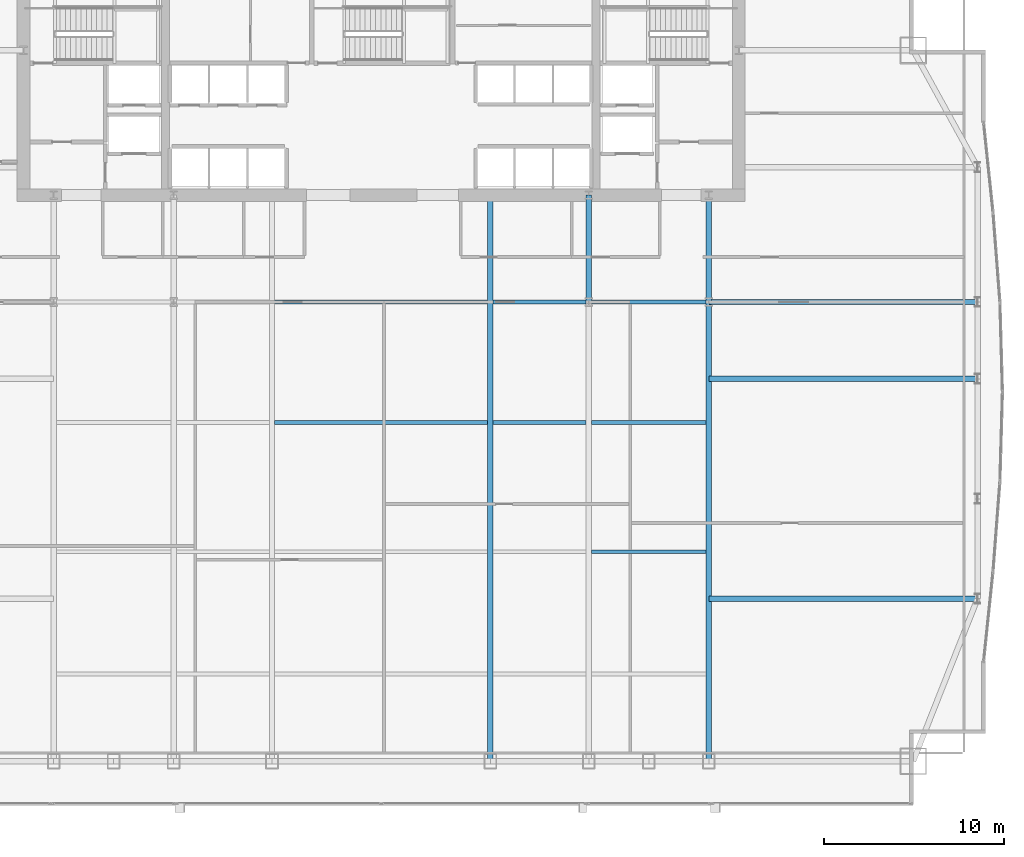
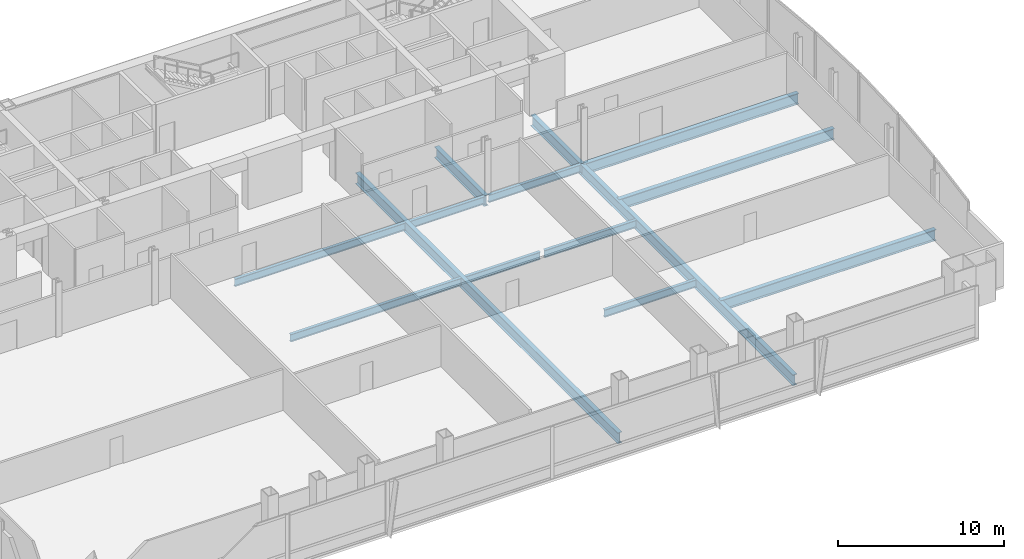
# One storey, part 16 of 30: 14 beams.
"""IFC4 building model written with IfcOpenShell, lengths in metres."""

from ifc_helpers import new_model, si_unit, direction, frame, origin, origin_2d, place, context, subcontext, project, spatial, i_section, extrude, material, material_profile, profile_set, type_object, element, save


model = new_model("IFC4")

# Units and contexts
model_context = context("Model", 3, precision=1e-05, world=origin(), true_north=direction((0.0, 1.0)))
body_context = subcontext(model_context, "Body", "Model", "MODEL_VIEW")
ifc_project = project(units=[si_unit("LENGTHUNIT", "METRE"), si_unit("AREAUNIT", "SQUARE_METRE"), si_unit("VOLUMEUNIT", "CUBIC_METRE"), si_unit("PLANEANGLEUNIT", "RADIAN"), si_unit("MASSUNIT", "GRAM", prefix="KILO")], contexts=[model_context])

# Site, building, storey
site_placement = place(None, origin())
site = spatial("IfcSite", under=ifc_project, at=site_placement, CompositionType="ELEMENT")
building_placement = place(site_placement, origin())
building = spatial("IfcBuilding", under=site, at=building_placement, Name="Khoronbel Lancet Exchange", CompositionType="ELEMENT")
storey_placement = place(building_placement, frame((0.0, 0.0, 98.60009765625)))
storey = spatial("IfcBuildingStorey", under=building, at=storey_placement, Name="L23", CompositionType="ELEMENT", Elevation=98.60009765625)

# Beams
ifc_material = material(Name="Steel S355", Category="steel")
ifc_material_profile_1 = material_profile(ifc_material, i_section(OverallWidth=0.300048828125, OverallDepth=0.800048828125, WebThickness=0.017578125, FlangeThickness=0.032958984375, at=origin_2d()), Name="HEB 800")
ifc_profile_set_1 = profile_set([ifc_material_profile_1], Name="Steel S355")
beam_type_1 = type_object("IfcBeamType", Name="BM-BG2", PredefinedType="BEAM", material=ifc_profile_set_1)
beam_1_placement = place(storey_placement, frame((42.52490234375, 10.14990234375, -0.580078125), z_axis=(0.0, 1.0, 0.0), x_axis=(-1.0, 0.0, 0.0)))
element("IfcBeam", 1, at=beam_1_placement, inside=storey, type_object=beam_type_1, Name="Level L23 primary floor girder G4", PredefinedType="BEAM", context=body_context, shape_type="SweptSolid", body=[
    extrude(i_section(OverallWidth=0.300048828125, OverallDepth=0.800048828125, WebThickness=0.017578125, FlangeThickness=0.032958984375, at=origin_2d()), origin(), (0.0, 0.0, 1.0), 31.5),
])
beam_2_placement = place(storey_placement, frame((48.0, 35.699951171875, -0.580078125), z_axis=(0.0, 1.0, 0.0), x_axis=(-1.0, 0.0, 0.0)))
element("IfcBeam", 2, at=beam_2_placement, inside=storey, type_object=beam_type_1, Name="Level L23 spine tie girder GN5", PredefinedType="BEAM", context=body_context, shape_type="SweptSolid", body=[
    extrude(i_section(OverallWidth=0.300048828125, OverallDepth=0.800048828125, WebThickness=0.017578125, FlangeThickness=0.032958984375, at=origin_2d()), origin(), (0.0, 0.0, 1.0), 5.949951171875),
])
beam_3_placement = place(storey_placement, frame((54.675048828125, 10.14990234375, -0.580078125), z_axis=(0.0, 1.0, 0.0), x_axis=(-1.0, 0.0, 0.0)))
element("IfcBeam", 3, at=beam_3_placement, inside=storey, type_object=beam_type_1, Name="Level L23 south primary girder GS6", PredefinedType="BEAM", context=body_context, shape_type="SweptSolid", body=[
    extrude(i_section(OverallWidth=0.300048828125, OverallDepth=0.800048828125, WebThickness=0.017578125, FlangeThickness=0.032958984375, at=origin_2d()), origin(), (0.0, 0.0, 1.0), 25.550048828125),
])
beam_4_placement = place(storey_placement, frame((54.675048828125, 35.699951171875, -0.580078125), z_axis=(0.0, 1.0, 0.0), x_axis=(-1.0, 0.0, 0.0)))
element("IfcBeam", 4, at=beam_4_placement, inside=storey, type_object=beam_type_1, Name="Level L23 spine tie girder GN6", PredefinedType="BEAM", context=body_context, shape_type="SweptSolid", body=[
    extrude(i_section(OverallWidth=0.300048828125, OverallDepth=0.800048828125, WebThickness=0.017578125, FlangeThickness=0.032958984375, at=origin_2d()), origin(), (0.0, 0.0, 1.0), 5.949951171875),
])
for number, where, z_axis, x_axis, name in (
    (5, (54.675048828125, 19.199951171875, -0.580078125), (1.0, 0.0, 0.0), (0.0, 1.0, 0.0), "Level L23 east lens tie girder LG1E"),
    (6, (54.675048828125, 31.425048828125, -0.580078125), (1.0, 0.0, 0.0), (0.0, 1.0, 0.0), "Level L23 east lens tie girder LG2E"),
    (7, (54.675048828125, 35.699951171875, -0.580078125), (1.0, 0.0, 0.0), (0.0, 1.0, 0.0), "Level L23 east lens tie girder LG4E"),
):
    element("IfcBeam", number, at=place(storey_placement, frame(where, z_axis=z_axis, x_axis=x_axis)), inside=storey, type_object=beam_type_1, Name=name, PredefinedType="BEAM", context=body_context, shape_type="SweptSolid", body=[
        extrude(i_section(OverallWidth=0.300048828125, OverallDepth=0.800048828125, WebThickness=0.017578125, FlangeThickness=0.032958984375, at=origin_2d()), origin(), (0.0, 0.0, 1.0), 14.954833984375),
    ])
ifc_material_profile_2 = material_profile(ifc_material, i_section(OverallWidth=0.2099609375, OverallDepth=0.550048828125, WebThickness=0.010986328125, FlangeThickness=0.01708984375, at=origin_2d()), Name="IPE 550")
ifc_profile_set_2 = profile_set([ifc_material_profile_2], Name="Steel S355")
beam_type_2 = type_object("IfcBeamType", Name="BM-BJ2", PredefinedType="JOIST", material=ifc_profile_set_2)
beam_5_placement = place(storey_placement, frame((48.14990234375, 21.800048828125, -0.455078125), z_axis=(1.0, 0.0, 0.0), x_axis=(0.0, 1.0, 0.0)))
element("IfcBeam", 8, at=beam_5_placement, inside=storey, type_object=beam_type_2, Name="Level L23 secondary composite joist J10", PredefinedType="JOIST", context=body_context, shape_type="SweptSolid", body=[
    extrude(i_section(OverallWidth=0.2099609375, OverallDepth=0.550048828125, WebThickness=0.010986328125, FlangeThickness=0.01708984375, at=origin_2d()), origin(), (0.0, 0.0, 1.0), 6.375),
])
beam_6_placement = place(storey_placement, frame((30.52490234375, 29.0, -0.455078125), z_axis=(1.0, 0.0, 0.0), x_axis=(0.0, 1.0, 0.0)))
element("IfcBeam", 9, at=beam_6_placement, inside=storey, type_object=beam_type_2, Name="Level L23 secondary composite joist J13", PredefinedType="JOIST", context=body_context, shape_type="SweptSolid", body=[
    extrude(i_section(OverallWidth=0.2099609375, OverallDepth=0.550048828125, WebThickness=0.010986328125, FlangeThickness=0.01708984375, at=origin_2d()), origin(), (0.0, 0.0, 1.0), 11.85009765625),
])
beam_7_placement = place(storey_placement, frame((42.675048828125, 29.0, -0.455078125), z_axis=(1.0, 0.0, 0.0), x_axis=(0.0, 1.0, 0.0)))
element("IfcBeam", 10, at=beam_7_placement, inside=storey, type_object=beam_type_2, Name="Level L23 secondary composite joist J14", PredefinedType="JOIST", context=body_context, shape_type="SweptSolid", body=[
    extrude(i_section(OverallWidth=0.2099609375, OverallDepth=0.550048828125, WebThickness=0.010986328125, FlangeThickness=0.01708984375, at=origin_2d()), origin(), (0.0, 0.0, 1.0), 5.175048828125),
])
beam_8_placement = place(storey_placement, frame((48.14990234375, 29.0, -0.455078125), z_axis=(1.0, 0.0, 0.0), x_axis=(0.0, 1.0, 0.0)))
element("IfcBeam", 11, at=beam_8_placement, inside=storey, type_object=beam_type_2, Name="Level L23 secondary composite joist J15", PredefinedType="JOIST", context=body_context, shape_type="SweptSolid", body=[
    extrude(i_section(OverallWidth=0.2099609375, OverallDepth=0.550048828125, WebThickness=0.010986328125, FlangeThickness=0.01708984375, at=origin_2d()), origin(), (0.0, 0.0, 1.0), 6.375),
])
beam_9_placement = place(storey_placement, frame((30.52490234375, 35.699951171875, -0.455078125), z_axis=(1.0, 0.0, 0.0), x_axis=(0.0, 1.0, 0.0)))
element("IfcBeam", 12, at=beam_9_placement, inside=storey, type_object=beam_type_2, Name="Level L23 secondary composite joist J18", PredefinedType="JOIST", context=body_context, shape_type="SweptSolid", body=[
    extrude(i_section(OverallWidth=0.2099609375, OverallDepth=0.550048828125, WebThickness=0.010986328125, FlangeThickness=0.01708984375, at=origin_2d()), origin(), (0.0, 0.0, 1.0), 11.85009765625),
])
beam_10_placement = place(storey_placement, frame((42.675048828125, 35.699951171875, -0.455078125), z_axis=(1.0, 0.0, 0.0), x_axis=(0.0, 1.0, 0.0)))
element("IfcBeam", 13, at=beam_10_placement, inside=storey, type_object=beam_type_2, Name="Level L23 secondary composite joist J19", PredefinedType="JOIST", context=body_context, shape_type="SweptSolid", body=[
    extrude(i_section(OverallWidth=0.2099609375, OverallDepth=0.550048828125, WebThickness=0.010986328125, FlangeThickness=0.01708984375, at=origin_2d()), origin(), (0.0, 0.0, 1.0), 5.175048828125),
])
beam_11_placement = place(storey_placement, frame((48.14990234375, 35.699951171875, -0.455078125), z_axis=(1.0, 0.0, 0.0), x_axis=(0.0, 1.0, 0.0)))
element("IfcBeam", 14, at=beam_11_placement, inside=storey, type_object=beam_type_2, Name="Level L23 secondary composite joist J20", PredefinedType="JOIST", context=body_context, shape_type="SweptSolid", body=[
    extrude(i_section(OverallWidth=0.2099609375, OverallDepth=0.550048828125, WebThickness=0.010986328125, FlangeThickness=0.01708984375, at=origin_2d()), origin(), (0.0, 0.0, 1.0), 6.375),
])

save(model, "model.ifc")
